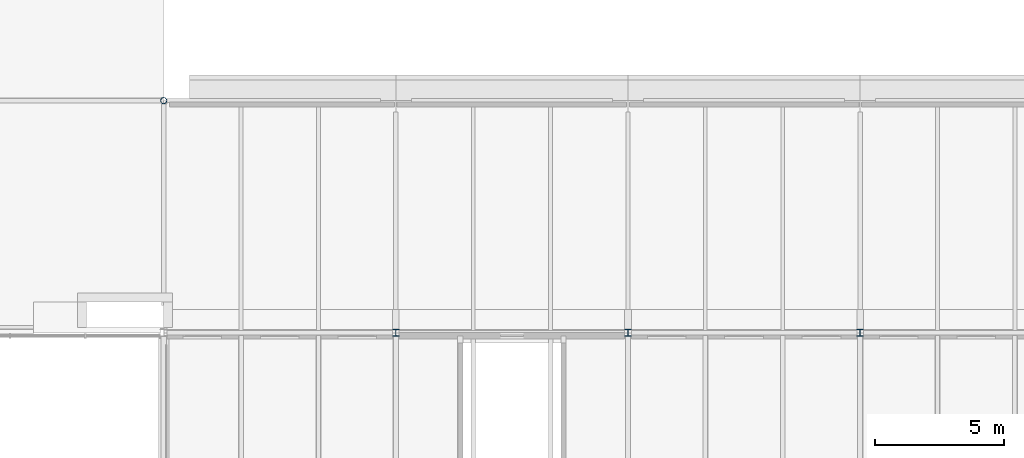
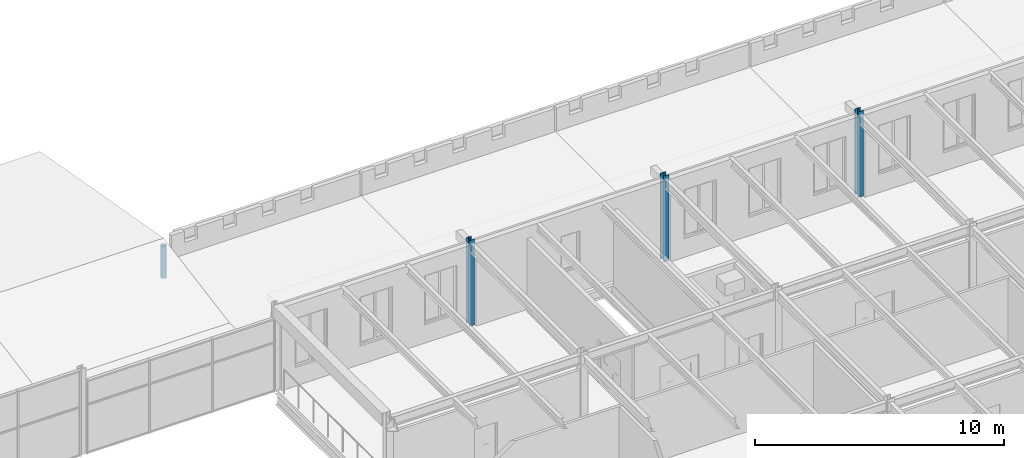
# One storey, part 18 of 123: 4 columns.
"""IFC4 building model written with IfcOpenShell, lengths in metres."""

from ifc_helpers import new_model, si_unit, direction, frame, origin, origin_2d, place, context, subcontext, project, spatial, hollow_circle, i_section, extrude, material, material_profile, profile_set, type_object, element, save


model = new_model("IFC4")

# Units and contexts
model_context = context("Model", 3, precision=1e-05, world=origin(), true_north=direction((0.0, 1.0)))
body_context = subcontext(model_context, "Body", "Model", "MODEL_VIEW")
ifc_project = project(units=[si_unit("LENGTHUNIT", "METRE"), si_unit("AREAUNIT", "SQUARE_METRE"), si_unit("VOLUMEUNIT", "CUBIC_METRE"), si_unit("PLANEANGLEUNIT", "RADIAN"), si_unit("MASSUNIT", "GRAM", prefix="KILO")], contexts=[model_context])

# Site, building, storey
site_placement = place(None, origin())
site = spatial("IfcSite", under=ifc_project, at=site_placement, CompositionType="ELEMENT")
building_placement = place(site_placement, origin())
building = spatial("IfcBuilding", under=site, at=building_placement, Name="Baradari Gate Terminus", CompositionType="ELEMENT")
storey_placement = place(building_placement, frame((0.0, 0.0, 7.5)))
storey = spatial("IfcBuildingStorey", under=building, at=storey_placement, Name="L01", CompositionType="ELEMENT", Elevation=7.5)

# Columns
ifc_material_1 = material(Name="Steel S355", Category="steel")
ifc_material_profile_1 = material_profile(ifc_material_1, hollow_circle(Radius=0.122314453125, WallThickness=0.010009765625, at=origin_2d()), Name="CHS 244.5x10")
ifc_profile_set_1 = profile_set([ifc_material_profile_1], Name="Steel S355")
column_type_1 = type_object("IfcColumnType", Name="Canopy column CHS 244.5x10", PredefinedType="COLUMN", material=ifc_profile_set_1)
column_placement = place(storey_placement, frame((171.0, 117.0, 0.0), z_axis=(0.0, 0.0, 1.0), x_axis=(1.0, 0.0, 0.0)))
element("IfcColumn", 1, at=column_placement, inside=storey, type_object=column_type_1, Name="COL/L01/CC05U", PredefinedType="COLUMN", context=body_context, shape_type="SweptSolid", body=[
    extrude(hollow_circle(Radius=0.122314453125, WallThickness=0.010009765625, at=origin_2d()), origin(), (0.0, 0.0, 1.0), 1.559326171875),
])
ifc_material_2 = material(Name="Steel S355", Category="steel")
ifc_material_profile_2 = material_profile(ifc_material_2, i_section(OverallWidth=0.25634765625, OverallDepth=0.26025390625, WebThickness=0.01025390625, FlangeThickness=0.017333984375, FilletRadius=0.0126953125, at=origin_2d()), Name="UC 254x254x89")
ifc_profile_set_2 = profile_set([ifc_material_profile_2], Name="Steel S355")
column_type_2 = type_object("IfcColumnType", Name="Head-house facade column C08 UC 254x254x89", PredefinedType="COLUMN", material=ifc_profile_set_2)
for number, where, z_axis, x_axis, name in (
    (2, (180.0, 108.0, 0.0), (0.0, 0.0, 1.0), (1.0, 0.0, 0.0), "C08 column 21-N L01"),
    (3, (189.0, 108.0, 0.0), (0.0, 0.0, 1.0), (1.0, 0.0, 0.0), "C08 column 22-N L01"),
    (4, (198.0, 108.0, 0.0), (0.0, 0.0, 1.0), (1.0, 0.0, 0.0), "C08 column 23-N L01"),
):
    element("IfcColumn", number, at=place(storey_placement, frame(where, z_axis=z_axis, x_axis=x_axis)), inside=storey, type_object=column_type_2, Name=name, PredefinedType="COLUMN", context=body_context, shape_type="SweptSolid", body=[
        extrude(i_section(OverallWidth=0.25634765625, OverallDepth=0.26025390625, WebThickness=0.01025390625, FlangeThickness=0.017333984375, FilletRadius=0.0126953125, at=origin_2d()), origin(), (0.0, 0.0, 1.0), 4.199951171875),
    ])

save(model, "model.ifc")
